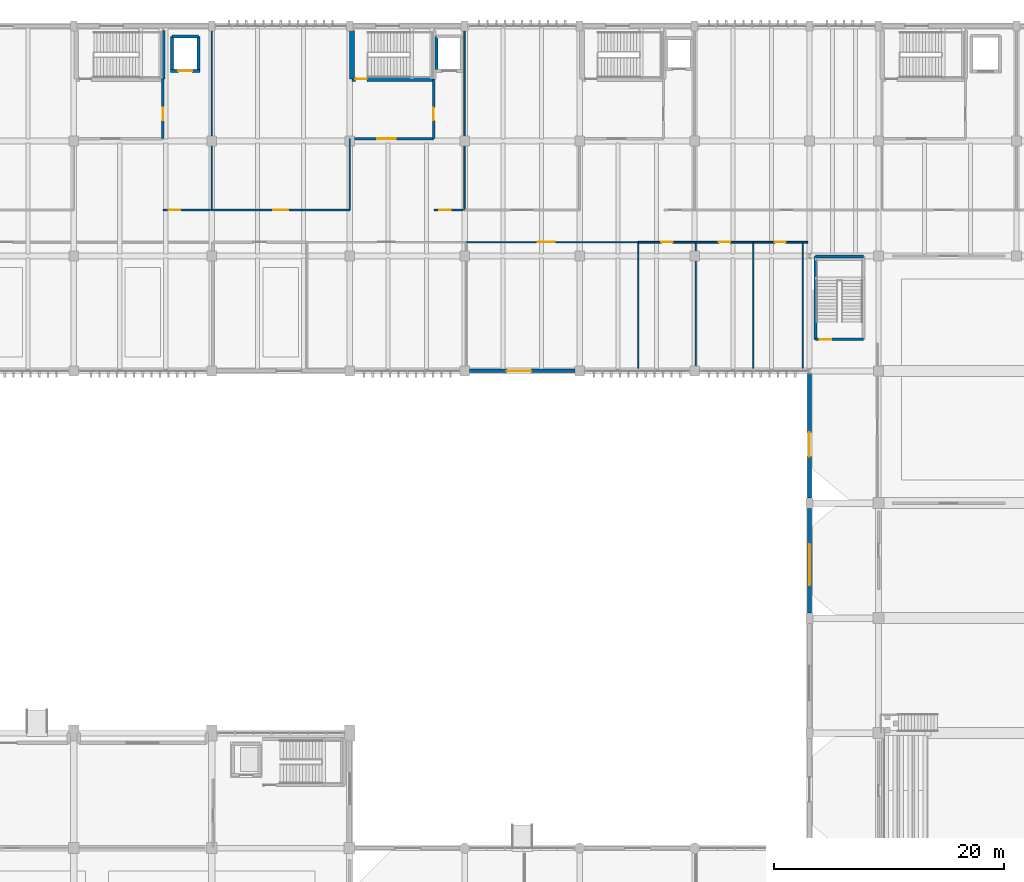
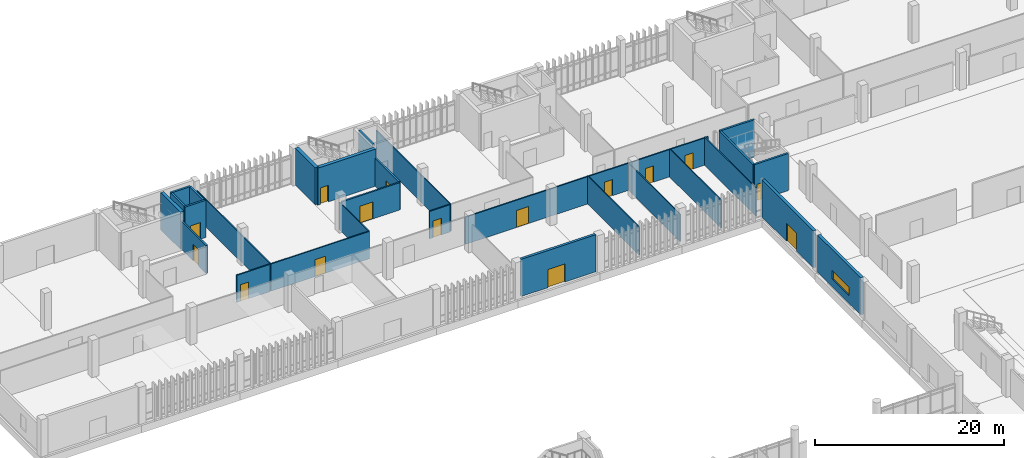
# One storey, part 74 of 87: 31 walls, 15 doors, 1 window, 16 openings.
"""IFC4 building model written with IfcOpenShell, lengths in metres."""

from ifc_helpers import new_model, si_unit, direction, frame, frame_2d, origin, place, context, subcontext, project, spatial, rectangle, extrude, material, layer, layer_set, type_object, element, fill, save


model = new_model("IFC4")

# Units and contexts
model_context = context("Model", 3, precision=1e-05, world=origin(), true_north=direction((0.0, 1.0)))
body_context = subcontext(model_context, "Body", "Model", "MODEL_VIEW")
ifc_project = project(units=[si_unit("LENGTHUNIT", "METRE"), si_unit("AREAUNIT", "SQUARE_METRE"), si_unit("VOLUMEUNIT", "CUBIC_METRE"), si_unit("PLANEANGLEUNIT", "RADIAN"), si_unit("MASSUNIT", "GRAM", prefix="KILO")], contexts=[model_context])

# Site, building, storey
site_placement = place(None, origin())
site = spatial("IfcSite", under=ifc_project, at=site_placement, CompositionType="ELEMENT")
building_placement = place(site_placement, origin())
building = spatial("IfcBuilding", under=site, at=building_placement, Name="Mersad Railyard Sports Hall", CompositionType="ELEMENT")
storey_placement = place(building_placement, origin())
storey = spatial("IfcBuildingStorey", under=building, at=storey_placement, Name="L00", CompositionType="ELEMENT", Elevation=0.0)

# Wall, opening, door
ifc_material_1 = material(Name="Architectural concrete C40/50", Category="concrete")
ifc_layer_1 = layer(ifc_material_1, 0.300048828125)
ifc_layer_set_1 = layer_set([ifc_layer_1], Name="Architectural concrete C40/50")
wall_type_1 = type_object("IfcWallType", Name="ARC-WL-EW01", PredefinedType="SOLIDWALL", material=ifc_layer_set_1)
wall_1_placement = place(storey_placement, frame((110.574951171875, 85.0, 0.0), z_axis=(0.0, 0.0, 1.0), x_axis=(-1.0, 0.0, 0.0)))
wall_1 = element("IfcWall", 1, at=wall_1_placement, inside=storey, type_object=wall_type_1, Name="External wall EW01-0105", PredefinedType="SOLIDWALL", context=body_context, shape_type="SweptSolid", body=[
    extrude(rectangle(XDim=9.14990234375, YDim=0.300048828125, at=frame_2d((4.574951171875, 0.0))), origin(), (0.0, 0.0, 1.0), 4.800048828125),
])
opening_1_placement = place(wall_1_placement, frame((3.800048828125, 0.0, 0.0)))
opening_1 = element("IfcOpeningElement", 2, at=opening_1_placement, cuts=wall_1, Name="Opening ED02", PredefinedType="OPENING", context=body_context, shape_type="SweptSolid", body=[
    extrude(rectangle(XDim=2.10009765625, YDim=2.35009765625, at=frame_2d((1.050048828125, 1.175048828125))), frame((0.0, 0.159912109375, 0.0), z_axis=(0.0, -1.0, 0.0), x_axis=(1.0, 0.0, 0.0)), (0.0, 0.0, 1.0), 0.320068359375),
])
ifc_material_2 = material(Name="Aluminium 6063-T6", Category="aluminium")
door_type_1 = type_object("IfcDoorType", Name="ARC-DR-ED02", OperationType="NOTDEFINED", PredefinedType="DOOR", material=ifc_material_2)
door_1_placement = place(opening_1_placement, origin())
door_1 = element("IfcDoor", 3, at=door_1_placement, inside=storey, type_object=door_type_1, Name="Wing courtyard exit door ED02-039", OperationType="DOUBLE_DOOR_SINGLE_SWING", OverallHeight=2.35009765625, OverallWidth=2.10009765625, PredefinedType="DOOR", context=body_context, shape_type="SweptSolid", body=[
    extrude(rectangle(XDim=2.10009765625, YDim=2.35009765625, at=frame_2d((1.050048828125, 1.175048828125))), frame((0.0, 0.02490234375, 0.0), z_axis=(0.0, -1.0, 0.0), x_axis=(1.0, 0.0, 0.0)), (0.0, 0.0, 1.0), 0.050048828125),
])
fill(opening_1, door_1)

# Wall, opening, window
ifc_material_3 = material(Name="Architectural concrete C50/60", Category="concrete")
ifc_layer_2 = layer(ifc_material_3, 0.35009765625)
ifc_layer_set_2 = layer_set([ifc_layer_2], Name="Architectural concrete C50/60")
wall_type_2 = type_object("IfcWallType", Name="ARC-WL-EW02", PredefinedType="SOLIDWALL", material=ifc_layer_set_2)
wall_2_placement = place(storey_placement, frame((131.0, 63.949951171875, 0.0), z_axis=(0.0, 0.0, 1.0), x_axis=(0.0, 1.0, 0.0)))
wall_2 = element("IfcWall", 4, at=wall_2_placement, inside=storey, type_object=wall_type_2, Name="External wall EW02-0095", PredefinedType="SOLIDWALL", context=body_context, shape_type="SweptSolid", body=[
    extrude(rectangle(XDim=9.10009765625, YDim=0.35009765625, at=frame_2d((4.550048828125, 0.0))), origin(), (0.0, 0.0, 1.0), 4.800048828125),
])
opening_2_placement = place(wall_2_placement, frame((2.39990234375, 0.0, 1.0)))
opening_2 = element("IfcOpeningElement", 5, at=opening_2_placement, cuts=wall_2, Name="Opening W25", PredefinedType="OPENING", context=body_context, shape_type="SweptSolid", body=[
    extrude(rectangle(XDim=3.60009765625, YDim=1.10009765625, at=frame_2d((1.800048828125, 0.550048828125))), frame((0.0, 0.18505859375, 0.0), z_axis=(0.0, -1.0, 0.0), x_axis=(1.0, 0.0, 0.0)), (0.0, 0.0, 1.0), 0.3701171875),
])
ifc_material_4 = material(Name="Solar-control glass", Category="glass")
window_type = type_object("IfcWindowType", Name="ARC-WN-W25", PartitioningType="DOUBLE_PANEL_VERTICAL", PredefinedType="WINDOW", material=ifc_material_4)
window_placement = place(opening_2_placement, origin())
window = element("IfcWindow", 6, at=window_placement, inside=storey, type_object=window_type, Name="Window W25-0022", OverallHeight=1.10009765625, OverallWidth=3.60009765625, PartitioningType="DOUBLE_PANEL_VERTICAL", PredefinedType="WINDOW", context=body_context, shape_type="SweptSolid", body=[
    extrude(rectangle(XDim=3.60009765625, YDim=1.10009765625, at=frame_2d((1.800048828125, 0.550048828125))), frame((0.0, 0.030029296875, 0.0), z_axis=(0.0, -1.0, 0.0), x_axis=(1.0, 0.0, 0.0)), (0.0, 0.0, 1.0), 0.06005859375),
])
fill(opening_2, window)

# Wall, opening, door
wall_3_placement = place(storey_placement, frame((131.0, 73.949951171875, 0.0), z_axis=(0.0, 0.0, 1.0), x_axis=(0.0, 1.0, 0.0)))
wall_3 = element("IfcWall", 7, at=wall_3_placement, inside=storey, type_object=wall_type_2, Name="External wall EW02-0096", PredefinedType="SOLIDWALL", context=body_context, shape_type="SweptSolid", body=[
    extrude(rectangle(XDim=10.8701171875, YDim=0.35009765625, at=frame_2d((5.43505859375, 0.0))), origin(), (0.0, 0.0, 1.0), 4.800048828125),
])
opening_3_placement = place(wall_3_placement, frame((3.60009765625, 0.0, 0.0)))
opening_3 = element("IfcOpeningElement", 8, at=opening_3_placement, cuts=wall_3, Name="Opening ED02", PredefinedType="OPENING", context=body_context, shape_type="SweptSolid", body=[
    extrude(rectangle(XDim=2.10009765625, YDim=2.35009765625, at=frame_2d((1.050048828125, 1.175048828125))), frame((0.0, 0.18505859375, 0.0), z_axis=(0.0, -1.0, 0.0), x_axis=(1.0, 0.0, 0.0)), (0.0, 0.0, 1.0), 0.3701171875),
])
door_2_placement = place(opening_3_placement, origin())
door_2 = element("IfcDoor", 9, at=door_2_placement, inside=storey, type_object=door_type_1, Name="Courtyard concourse exit door ED02-030", OperationType="DOUBLE_DOOR_SINGLE_SWING", OverallHeight=2.35009765625, OverallWidth=2.10009765625, PredefinedType="DOOR", context=body_context, shape_type="SweptSolid", body=[
    extrude(rectangle(XDim=2.10009765625, YDim=2.35009765625, at=frame_2d((1.050048828125, 1.175048828125))), frame((0.0, 0.02490234375, 0.0), z_axis=(0.0, -1.0, 0.0), x_axis=(1.0, 0.0, 0.0)), (0.0, 0.0, 1.0), 0.050048828125),
])
fill(opening_3, door_2)

ifc_material_5 = material(Name="Precast concrete C45/55", Category="concrete")
ifc_layer_3 = layer(ifc_material_5, 0.199951171875)
ifc_layer_set_3 = layer_set([ifc_layer_3], Name="Precast concrete C45/55")
wall_type_3 = type_object("IfcWallType", Name="ARC-WL-PT01", PredefinedType="PARTITIONING", material=ifc_layer_set_3)
wall_4_placement = place(storey_placement, frame((74.75, 105.199951171875, 0.0), z_axis=(0.0, 0.0, 1.0), x_axis=(0.0, 1.0, 0.0)))
wall_4 = element("IfcWall", 10, at=wall_4_placement, inside=storey, type_object=wall_type_3, Name="Interior wall PT01-0161", PredefinedType="PARTITIONING", context=body_context, shape_type="SweptSolid", body=[
    extrude(rectangle(XDim=5.179931640625, YDim=0.199951171875, at=frame_2d((2.58984375, 0.0))), origin(), (0.0, 0.0, 1.0), 3.625),
])
opening_4_placement = place(wall_4_placement, frame((1.60009765625, 0.0, 0.0)))
opening_4 = element("IfcOpeningElement", 11, at=opening_4_placement, cuts=wall_4, Name="Opening FD01", PredefinedType="OPENING", context=body_context, shape_type="SweptSolid", body=[
    extrude(rectangle(XDim=1.10009765625, YDim=2.14990234375, at=frame_2d((0.550048828125, 1.074951171875))), frame((0.0, 0.10986328125, 0.0), z_axis=(0.0, -1.0, 0.0), x_axis=(1.0, 0.0, 0.0)), (0.0, 0.0, 1.0), 0.219970703125),
])
ifc_material_6 = material(Name="Steel S355", Category="steel")
door_type_2 = type_object("IfcDoorType", Name="ARC-DR-FD01", OperationType="NOTDEFINED", PredefinedType="DOOR", material=ifc_material_6)
door_3_placement = place(opening_4_placement, origin())
door_3 = element("IfcDoor", 12, at=door_3_placement, inside=storey, type_object=door_type_2, Name="C1 lift-to-firefighting lobby door FD01-0047", OperationType="SINGLE_SWING_LEFT", OverallHeight=2.14990234375, OverallWidth=1.10009765625, PredefinedType="DOOR", context=body_context, shape_type="SweptSolid", body=[
    extrude(rectangle(XDim=1.10009765625, YDim=2.14990234375, at=frame_2d((0.550048828125, 1.074951171875))), frame((0.0, 0.02490234375, 0.0), z_axis=(0.0, -1.0, 0.0), x_axis=(1.0, 0.0, 0.0)), (0.0, 0.0, 1.0), 0.050048828125),
])
fill(opening_4, door_3)

wall_5_placement = place(storey_placement, frame((91.199951171875, 105.199951171875, 0.0), z_axis=(0.0, 0.0, 1.0), x_axis=(1.0, 0.0, 0.0)))
wall_5 = element("IfcWall", 13, at=wall_5_placement, inside=storey, type_object=wall_type_3, Name="Interior wall PT01-0202", PredefinedType="PARTITIONING", context=body_context, shape_type="SweptSolid", body=[
    extrude(rectangle(XDim=7.10009765625, YDim=0.199951171875, at=frame_2d((3.550048828125, 0.0))), origin(), (0.0, 0.0, 1.0), 3.52490234375),
])
opening_5_placement = place(wall_5_placement, frame((2.199951171875, 0.0, 0.0)))
opening_5 = element("IfcOpeningElement", 14, at=opening_5_placement, cuts=wall_5, Name="Opening FD04", PredefinedType="OPENING", context=body_context, shape_type="SweptSolid", body=[
    extrude(rectangle(XDim=1.60009765625, YDim=2.199951171875, at=frame_2d((0.800048828125, 1.10009765625))), frame((0.0, 0.10986328125, 0.0), z_axis=(0.0, -1.0, 0.0), x_axis=(1.0, 0.0, 0.0)), (0.0, 0.0, 1.0), 0.219970703125),
])
door_type_3 = type_object("IfcDoorType", Name="ARC-DR-FD04", OperationType="NOTDEFINED", PredefinedType="DOOR", material=ifc_material_6)
door_4_placement = place(opening_5_placement, origin())
door_4 = element("IfcDoor", 15, at=door_4_placement, inside=storey, type_object=door_type_3, Name="C2 firefighting lobby door FD04-0074", OperationType="DOUBLE_DOOR_SINGLE_SWING", OverallHeight=2.199951171875, OverallWidth=1.60009765625, PredefinedType="DOOR", context=body_context, shape_type="SweptSolid", body=[
    extrude(rectangle(XDim=1.60009765625, YDim=2.199951171875, at=frame_2d((0.800048828125, 1.10009765625))), frame((0.0, 0.02490234375, 0.0), z_axis=(0.0, -1.0, 0.0), x_axis=(1.0, 0.0, 0.0)), (0.0, 0.0, 1.0), 0.050048828125),
])
fill(opening_5, door_4)

wall_6_placement = place(storey_placement, frame((98.300048828125, 105.199951171875, 0.0), z_axis=(0.0, 0.0, 1.0), x_axis=(0.0, 1.0, 0.0)))
wall_6 = element("IfcWall", 16, at=wall_6_placement, inside=storey, type_object=wall_type_3, Name="Interior wall PT01-0203", PredefinedType="PARTITIONING", context=body_context, shape_type="SweptSolid", body=[
    extrude(rectangle(XDim=5.179931640625, YDim=0.199951171875, at=frame_2d((2.58984375, 0.0))), origin(), (0.0, 0.0, 1.0), 3.625),
])
opening_6_placement = place(wall_6_placement, frame((1.60009765625, 0.0, 0.0)))
opening_6 = element("IfcOpeningElement", 17, at=opening_6_placement, cuts=wall_6, Name="Opening FD01", PredefinedType="OPENING", context=body_context, shape_type="SweptSolid", body=[
    extrude(rectangle(XDim=1.10009765625, YDim=2.14990234375, at=frame_2d((0.550048828125, 1.074951171875))), frame((0.0, 0.10986328125, 0.0), z_axis=(0.0, -1.0, 0.0), x_axis=(1.0, 0.0, 0.0)), (0.0, 0.0, 1.0), 0.219970703125),
])
door_5_placement = place(opening_6_placement, origin())
door_5 = element("IfcDoor", 18, at=door_5_placement, inside=storey, type_object=door_type_2, Name="C2 lift-to-firefighting lobby door FD01-0075", OperationType="SINGLE_SWING_RIGHT", OverallHeight=2.14990234375, OverallWidth=1.10009765625, PredefinedType="DOOR", context=body_context, shape_type="SweptSolid", body=[
    extrude(rectangle(XDim=1.10009765625, YDim=2.14990234375, at=frame_2d((0.550048828125, 1.074951171875))), frame((0.0, 0.02490234375, 0.0), z_axis=(0.0, -1.0, 0.0), x_axis=(1.0, 0.0, 0.0)), (0.0, 0.0, 1.0), 0.050048828125),
])
fill(opening_6, door_5)

ifc_material_7 = material(Name="Gypsum plasterboard", Category="gypsum")
ifc_layer_4 = layer(ifc_material_7, 0.159912109375)
ifc_layer_set_4 = layer_set([ifc_layer_4], Name="Gypsum plasterboard")
wall_type_4 = type_object("IfcWallType", Name="ARC-WL-PT02", PredefinedType="PARTITIONING", material=ifc_layer_set_4)
wall_7_placement = place(storey_placement, frame((74.800048828125, 99.0, 0.0), z_axis=(0.0, 0.0, 1.0), x_axis=(1.0, 0.0, 0.0)))
wall_7 = element("IfcWall", 19, at=wall_7_placement, inside=storey, type_object=wall_type_4, Name="Interior wall PT02-0162", PredefinedType="PARTITIONING", context=body_context, shape_type="SweptSolid", body=[
    extrude(rectangle(XDim=4.050048828125, YDim=0.159912109375, at=frame_2d((2.02490234375, 0.0))), origin(), (0.0, 0.0, 1.0), 3.52490234375),
])
opening_7_placement = place(wall_7_placement, frame((0.449951171875, 0.0, 0.0)))
opening_7 = element("IfcOpeningElement", 20, at=opening_7_placement, cuts=wall_7, Name="Opening FD02", PredefinedType="OPENING", context=body_context, shape_type="SweptSolid", body=[
    extrude(rectangle(XDim=1.0, YDim=2.14990234375, at=frame_2d((0.5, 1.074951171875))), frame((0.0, 0.08984375, 0.0), z_axis=(0.0, -1.0, 0.0), x_axis=(1.0, 0.0, 0.0)), (0.0, 0.0, 1.0), 0.179931640625),
])
door_type_4 = type_object("IfcDoorType", Name="ARC-DR-FD02", OperationType="NOTDEFINED", PredefinedType="DOOR", material=ifc_material_6)
door_6_placement = place(opening_7_placement, origin())
door_6 = element("IfcDoor", 21, at=door_6_placement, inside=storey, type_object=door_type_4, Name="C1 lift lobby corridor door FD02-0048", OperationType="SINGLE_SWING_RIGHT", OverallHeight=2.14990234375, OverallWidth=1.0, PredefinedType="DOOR", context=body_context, shape_type="SweptSolid", body=[
    extrude(rectangle(XDim=1.0, YDim=2.14990234375, at=frame_2d((0.5, 1.074951171875))), frame((0.0, 0.02490234375, 0.0), z_axis=(0.0, -1.0, 0.0), x_axis=(1.0, 0.0, 0.0)), (0.0, 0.0, 1.0), 0.050048828125),
])
fill(opening_7, door_6)

wall_8_placement = place(storey_placement, frame((98.35009765625, 99.0, 0.0), z_axis=(0.0, 0.0, 1.0), x_axis=(1.0, 0.0, 0.0)))
wall_8 = element("IfcWall", 22, at=wall_8_placement, inside=storey, type_object=wall_type_4, Name="Interior wall PT02-0204", PredefinedType="PARTITIONING", context=body_context, shape_type="SweptSolid", body=[
    extrude(rectangle(XDim=2.5, YDim=0.159912109375, at=frame_2d((1.25, 0.0))), origin(), (0.0, 0.0, 1.0), 3.52490234375),
])
opening_8_placement = place(wall_8_placement, frame((0.449951171875, 0.0, 0.0)))
opening_8 = element("IfcOpeningElement", 23, at=opening_8_placement, cuts=wall_8, Name="Opening FD02", PredefinedType="OPENING", context=body_context, shape_type="SweptSolid", body=[
    extrude(rectangle(XDim=1.0, YDim=2.14990234375, at=frame_2d((0.5, 1.074951171875))), frame((0.0, 0.08984375, 0.0), z_axis=(0.0, -1.0, 0.0), x_axis=(1.0, 0.0, 0.0)), (0.0, 0.0, 1.0), 0.179931640625),
])
door_7_placement = place(opening_8_placement, origin())
door_7 = element("IfcDoor", 24, at=door_7_placement, inside=storey, type_object=door_type_4, Name="C2 lift lobby corridor door FD02-0076", OperationType="SINGLE_SWING_LEFT", OverallHeight=2.14990234375, OverallWidth=1.0, PredefinedType="DOOR", context=body_context, shape_type="SweptSolid", body=[
    extrude(rectangle(XDim=1.0, YDim=2.14990234375, at=frame_2d((0.5, 1.074951171875))), frame((0.0, 0.02490234375, 0.0), z_axis=(0.0, -1.0, 0.0), x_axis=(1.0, 0.0, 0.0)), (0.0, 0.0, 1.0), 0.050048828125),
])
fill(opening_8, door_7)

wall_9_placement = place(storey_placement, frame((101.10009765625, 96.199951171875, 0.0), z_axis=(0.0, 0.0, 1.0), x_axis=(1.0, 0.0, 0.0)))
wall_9 = element("IfcWall", 25, at=wall_9_placement, inside=storey, type_object=wall_type_4, Name="Interior wall PT02-0409", PredefinedType="PARTITIONING", context=body_context, shape_type="SweptSolid", body=[
    extrude(rectangle(XDim=15.0, YDim=0.159912109375, at=frame_2d((7.5, 0.0))), origin(), (0.0, 0.0, 1.0), 3.52490234375),
])
opening_9_placement = place(wall_9_placement, frame((6.25, 0.0, 0.0)))
opening_9 = element("IfcOpeningElement", 26, at=opening_9_placement, cuts=wall_9, Name="Opening FD10", PredefinedType="OPENING", context=body_context, shape_type="SweptSolid", body=[
    extrude(rectangle(XDim=1.5, YDim=2.199951171875, at=frame_2d((0.75, 1.10009765625))), frame((0.0, 0.08984375, 0.0), z_axis=(0.0, -1.0, 0.0), x_axis=(1.0, 0.0, 0.0)), (0.0, 0.0, 1.0), 0.179931640625),
])
door_type_5 = type_object("IfcDoorType", Name="ARC-DR-FD10", OperationType="NOTDEFINED", PredefinedType="DOOR", material=ifc_material_6)
door_8_placement = place(opening_9_placement, origin())
door_8 = element("IfcDoor", 27, at=door_8_placement, inside=storey, type_object=door_type_5, Name="L00 south room door FD10-0184", OperationType="DOUBLE_DOOR_SINGLE_SWING", OverallHeight=2.199951171875, OverallWidth=1.5, PredefinedType="DOOR", context=body_context, shape_type="SweptSolid", body=[
    extrude(rectangle(XDim=1.5, YDim=2.199951171875, at=frame_2d((0.75, 1.10009765625))), frame((0.0, 0.02490234375, 0.0), z_axis=(0.0, -1.0, 0.0), x_axis=(1.0, 0.0, 0.0)), (0.0, 0.0, 1.0), 0.050048828125),
])
fill(opening_9, door_8)

wall_10_placement = place(storey_placement, frame((116.10009765625, 96.199951171875, 0.0), z_axis=(0.0, 0.0, 1.0), x_axis=(1.0, 0.0, 0.0)))
wall_10 = element("IfcWall", 28, at=wall_10_placement, inside=storey, type_object=wall_type_4, Name="Interior wall PT02-0411", PredefinedType="PARTITIONING", context=body_context, shape_type="SweptSolid", body=[
    extrude(rectangle(XDim=5.0, YDim=0.159912109375, at=frame_2d((2.5, 0.0))), origin(), (0.0, 0.0, 1.0), 3.52490234375),
])
opening_10_placement = place(wall_10_placement, frame((2.0, 0.0, 0.0)))
opening_10 = element("IfcOpeningElement", 29, at=opening_10_placement, cuts=wall_10, Name="Opening FD06", PredefinedType="OPENING", context=body_context, shape_type="SweptSolid", body=[
    extrude(rectangle(XDim=0.97998046875, YDim=2.10009765625, at=frame_2d((0.489990234375, 1.050048828125))), frame((0.0, 0.08984375, 0.0), z_axis=(0.0, -1.0, 0.0), x_axis=(1.0, 0.0, 0.0)), (0.0, 0.0, 1.0), 0.179931640625),
])
door_type_6 = type_object("IfcDoorType", Name="ARC-DR-FD06", OperationType="NOTDEFINED", PredefinedType="DOOR", material=ifc_material_6)
door_9_placement = place(opening_10_placement, origin())
door_9 = element("IfcDoor", 30, at=door_9_placement, inside=storey, type_object=door_type_6, Name="L00 south room door FD06-0185", OperationType="SINGLE_SWING_LEFT", OverallHeight=2.10009765625, OverallWidth=0.97998046875, PredefinedType="DOOR", context=body_context, shape_type="SweptSolid", body=[
    extrude(rectangle(XDim=0.97998046875, YDim=2.10009765625, at=frame_2d((0.489990234375, 1.050048828125))), frame((0.0, 0.02490234375, 0.0), z_axis=(0.0, -1.0, 0.0), x_axis=(1.0, 0.0, 0.0)), (0.0, 0.0, 1.0), 0.050048828125),
])
fill(opening_10, door_9)

wall_11_placement = place(storey_placement, frame((121.10009765625, 96.199951171875, 0.0), z_axis=(0.0, 0.0, 1.0), x_axis=(1.0, 0.0, 0.0)))
wall_11 = element("IfcWall", 31, at=wall_11_placement, inside=storey, type_object=wall_type_4, Name="Interior wall PT02-0413", PredefinedType="PARTITIONING", context=body_context, shape_type="SweptSolid", body=[
    extrude(rectangle(XDim=5.0, YDim=0.159912109375, at=frame_2d((2.5, 0.0))), origin(), (0.0, 0.0, 1.0), 3.52490234375),
])
opening_11_placement = place(wall_11_placement, frame((2.0, 0.0, 0.0)))
opening_11 = element("IfcOpeningElement", 32, at=opening_11_placement, cuts=wall_11, Name="Opening FD06", PredefinedType="OPENING", context=body_context, shape_type="SweptSolid", body=[
    extrude(rectangle(XDim=0.97998046875, YDim=2.10009765625, at=frame_2d((0.489990234375, 1.050048828125))), frame((0.0, 0.08984375, 0.0), z_axis=(0.0, -1.0, 0.0), x_axis=(1.0, 0.0, 0.0)), (0.0, 0.0, 1.0), 0.179931640625),
])
door_10_placement = place(opening_11_placement, origin())
door_10 = element("IfcDoor", 33, at=door_10_placement, inside=storey, type_object=door_type_6, Name="L00 south room door FD06-0186", OperationType="SINGLE_SWING_RIGHT", OverallHeight=2.10009765625, OverallWidth=0.97998046875, PredefinedType="DOOR", context=body_context, shape_type="SweptSolid", body=[
    extrude(rectangle(XDim=0.97998046875, YDim=2.10009765625, at=frame_2d((0.489990234375, 1.050048828125))), frame((0.0, 0.02490234375, 0.0), z_axis=(0.0, -1.0, 0.0), x_axis=(1.0, 0.0, 0.0)), (0.0, 0.0, 1.0), 0.050048828125),
])
fill(opening_11, door_10)

wall_12_placement = place(storey_placement, frame((126.10009765625, 96.199951171875, 0.0), z_axis=(0.0, 0.0, 1.0), x_axis=(1.0, 0.0, 0.0)))
wall_12 = element("IfcWall", 34, at=wall_12_placement, inside=storey, type_object=wall_type_4, Name="Interior wall PT02-0415", PredefinedType="PARTITIONING", context=body_context, shape_type="SweptSolid", body=[
    extrude(rectangle(XDim=4.719970703125, YDim=0.159912109375, at=frame_2d((2.35986328125, 0.0))), origin(), (0.0, 0.0, 1.0), 3.52490234375),
])
opening_12_placement = place(wall_12_placement, frame((1.860107421875, 0.0, 0.0)))
opening_12 = element("IfcOpeningElement", 35, at=opening_12_placement, cuts=wall_12, Name="Opening FD06", PredefinedType="OPENING", context=body_context, shape_type="SweptSolid", body=[
    extrude(rectangle(XDim=0.97998046875, YDim=2.10009765625, at=frame_2d((0.489990234375, 1.050048828125))), frame((0.0, 0.08984375, 0.0), z_axis=(0.0, -1.0, 0.0), x_axis=(1.0, 0.0, 0.0)), (0.0, 0.0, 1.0), 0.179931640625),
])
door_11_placement = place(opening_12_placement, origin())
door_11 = element("IfcDoor", 36, at=door_11_placement, inside=storey, type_object=door_type_6, Name="L00 south room door FD06-0187", OperationType="SINGLE_SWING_LEFT", OverallHeight=2.10009765625, OverallWidth=0.97998046875, PredefinedType="DOOR", context=body_context, shape_type="SweptSolid", body=[
    extrude(rectangle(XDim=0.97998046875, YDim=2.10009765625, at=frame_2d((0.489990234375, 1.050048828125))), frame((0.0, 0.02490234375, 0.0), z_axis=(0.0, -1.0, 0.0), x_axis=(1.0, 0.0, 0.0)), (0.0, 0.0, 1.0), 0.050048828125),
])
fill(opening_12, door_11)

ifc_layer_5 = layer(ifc_material_7, 0.139892578125)
ifc_layer_set_5 = layer_set([ifc_layer_5], Name="Gypsum plasterboard")
wall_type_5 = type_object("IfcWallType", Name="ARC-WL-PT03", PredefinedType="PARTITIONING", material=ifc_layer_set_5)
wall_13_placement = place(storey_placement, frame((79.0, 99.0, 0.0), z_axis=(0.0, 0.0, 1.0), x_axis=(1.0, 0.0, 0.0)))
wall_13 = element("IfcWall", 37, at=wall_13_placement, inside=storey, type_object=wall_type_5, Name="Interior wall PT03-0420", PredefinedType="PARTITIONING", context=body_context, shape_type="SweptSolid", body=[
    extrude(rectangle(XDim=12.0, YDim=0.139892578125, at=frame_2d((6.0, 0.0))), origin(), (0.0, 0.0, 1.0), 3.52490234375),
])
opening_13_placement = place(wall_13_placement, frame((5.35009765625, 0.0, 0.0)))
opening_13 = element("IfcOpeningElement", 38, at=opening_13_placement, cuts=wall_13, Name="Opening FD03", PredefinedType="OPENING", context=body_context, shape_type="SweptSolid", body=[
    extrude(rectangle(XDim=1.300048828125, YDim=2.199951171875, at=frame_2d((0.64990234375, 1.10009765625))), frame((0.0, 0.079833984375, 0.0), z_axis=(0.0, -1.0, 0.0), x_axis=(1.0, 0.0, 0.0)), (0.0, 0.0, 1.0), 0.159912109375),
])
door_type_7 = type_object("IfcDoorType", Name="ARC-DR-FD03", OperationType="NOTDEFINED", PredefinedType="DOOR", material=ifc_material_6)
door_12_placement = place(opening_13_placement, origin())
door_12 = element("IfcDoor", 39, at=door_12_placement, inside=storey, type_object=door_type_7, Name="L00 north room door FD03-0189", OperationType="SINGLE_SWING_RIGHT", OverallHeight=2.199951171875, OverallWidth=1.300048828125, PredefinedType="DOOR", context=body_context, shape_type="SweptSolid", body=[
    extrude(rectangle(XDim=1.300048828125, YDim=2.199951171875, at=frame_2d((0.64990234375, 1.10009765625))), frame((0.0, 0.02490234375, 0.0), z_axis=(0.0, -1.0, 0.0), x_axis=(1.0, 0.0, 0.0)), (0.0, 0.0, 1.0), 0.050048828125),
])
fill(opening_13, door_12)

# Walls
ifc_layer_6 = layer(ifc_material_7, 0.1201171875)
ifc_layer_set_6 = layer_set([ifc_layer_6], Name="Gypsum plasterboard")
wall_type_6 = type_object("IfcWallType", Name="ARC-WL-PT04", PredefinedType="PARTITIONING", material=ifc_layer_set_6)
for number, where, z_axis, x_axis, name in (
    (40, (116.10009765625, 85.219970703125, 0.0), (0.0, 0.0, 1.0), (0.0, 1.0, 0.0), "Interior wall PT04-0412"),
    (41, (126.10009765625, 85.219970703125, 0.0), (0.0, 0.0, 1.0), (0.0, 1.0, 0.0), "Interior wall PT04-0416"),
    (42, (130.39990234375, 85.219970703125, 0.0), (0.0, 0.0, 1.0), (0.0, 1.0, 0.0), "Interior wall PT04-0417"),
):
    element("IfcWall", number, at=place(storey_placement, frame(where, z_axis=z_axis, x_axis=x_axis)), inside=storey, type_object=wall_type_6, Name=name, PredefinedType="PARTITIONING", context=body_context, shape_type="SweptSolid", body=[
        extrude(rectangle(XDim=10.97998046875, YDim=0.1201171875, at=frame_2d((5.489990234375, 0.0))), origin(), (0.0, 0.0, 1.0), 3.625),
    ])
wall_14_placement = place(storey_placement, frame((79.0, 99.0, 0.0), z_axis=(0.0, 0.0, 1.0), x_axis=(0.0, 1.0, 0.0)))
element("IfcWall", 43, at=wall_14_placement, inside=storey, type_object=wall_type_6, Name="Interior wall PT04-0421", PredefinedType="PARTITIONING", context=body_context, shape_type="SweptSolid", body=[
    extrude(rectangle(XDim=15.75, YDim=0.1201171875, at=frame_2d((7.875, 0.0))), origin(), (0.0, 0.0, 1.0), 3.52490234375),
])
wall_15_placement = place(storey_placement, frame((91.0, 99.0, 0.0), z_axis=(0.0, 0.0, 1.0), x_axis=(0.0, 1.0, 0.0)))
element("IfcWall", 44, at=wall_15_placement, inside=storey, type_object=wall_type_6, Name="Interior wall PT04-0422", PredefinedType="PARTITIONING", context=body_context, shape_type="SweptSolid", body=[
    extrude(rectangle(XDim=6.199951171875, YDim=0.1201171875, at=frame_2d((3.10009765625, 0.0))), origin(), (0.0, 0.0, 1.0), 3.52490234375),
])
wall_16_placement = place(storey_placement, frame((101.0, 99.0, 0.0), z_axis=(0.0, 0.0, 1.0), x_axis=(0.0, 1.0, 0.0)))
element("IfcWall", 45, at=wall_16_placement, inside=storey, type_object=wall_type_6, Name="Interior wall PT04-0424", PredefinedType="PARTITIONING", context=body_context, shape_type="SweptSolid", body=[
    extrude(rectangle(XDim=15.75, YDim=0.1201171875, at=frame_2d((7.875, 0.0))), origin(), (0.0, 0.0, 1.0), 3.52490234375),
])
ifc_layer_7 = layer(ifc_material_7, 0.10009765625)
ifc_layer_set_7 = layer_set([ifc_layer_7], Name="Gypsum plasterboard")
wall_type_7 = type_object("IfcWallType", Name="ARC-WL-PT05", PredefinedType="PARTITIONING", material=ifc_layer_set_7)
wall_17_placement = place(storey_placement, frame((121.10009765625, 85.219970703125, 0.0), z_axis=(0.0, 0.0, 1.0), x_axis=(0.0, 1.0, 0.0)))
element("IfcWall", 46, at=wall_17_placement, inside=storey, type_object=wall_type_7, Name="Interior wall PT05-0414", PredefinedType="PARTITIONING", context=body_context, shape_type="SweptSolid", body=[
    extrude(rectangle(XDim=10.97998046875, YDim=0.10009765625, at=frame_2d((5.489990234375, 0.0))), origin(), (0.0, 0.0, 1.0), 3.52490234375),
])
ifc_material_8 = material(Name="Concrete C50/60", Category="concrete")
ifc_layer_8 = layer(ifc_material_8, 0.39990234375)
ifc_layer_set_8 = layer_set([ifc_layer_8], Name="Concrete C50/60")
wall_type_8 = type_object("IfcWallType", Name="STR-WL-SW01", PredefinedType="SHEAR", material=ifc_layer_set_8)
wall_18_placement = place(storey_placement, frame((74.75, 110.3798828125, 0.0), z_axis=(0.0, 0.0, 1.0), x_axis=(0.0, 1.0, 0.0)))
element("IfcWall", 47, at=wall_18_placement, inside=storey, type_object=wall_type_8, Name="Interior wall SW01-0158", PredefinedType="SHEAR", context=body_context, shape_type="SweptSolid", body=[
    extrude(rectangle(XDim=4.240234375, YDim=0.39990234375, at=frame_2d((2.1201171875, 0.0))), origin(), (0.0, 0.0, 1.0), 4.800048828125),
])

# Wall, opening, door
wall_19_placement = place(storey_placement, frame((91.199951171875, 110.3798828125, 0.0), z_axis=(0.0, 0.0, 1.0), x_axis=(1.0, 0.0, 0.0)))
wall_19 = element("IfcWall", 48, at=wall_19_placement, inside=storey, type_object=wall_type_8, Name="Interior wall SW01-0199", PredefinedType="SHEAR", context=body_context, shape_type="SweptSolid", body=[
    extrude(rectangle(XDim=7.10009765625, YDim=0.39990234375, at=frame_2d((3.550048828125, 0.0))), origin(), (0.0, 0.0, 1.0), 4.800048828125),
])
opening_14_placement = place(wall_19_placement, frame((0.300048828125, 0.0, 0.0)))
opening_14 = element("IfcOpeningElement", 49, at=opening_14_placement, cuts=wall_19, Name="Opening FD02", PredefinedType="OPENING", context=body_context, shape_type="SweptSolid", body=[
    extrude(rectangle(XDim=1.0, YDim=2.14990234375, at=frame_2d((0.5, 1.074951171875))), frame((0.0, 0.2099609375, 0.0), z_axis=(0.0, -1.0, 0.0), x_axis=(1.0, 0.0, 0.0)), (0.0, 0.0, 1.0), 0.419921875),
])
door_13_placement = place(opening_14_placement, origin())
door_13 = element("IfcDoor", 50, at=door_13_placement, inside=storey, type_object=door_type_4, Name="C2 stair entrance door FD02-0073", OperationType="SINGLE_SWING_LEFT", OverallHeight=2.14990234375, OverallWidth=1.0, PredefinedType="DOOR", context=body_context, shape_type="SweptSolid", body=[
    extrude(rectangle(XDim=1.0, YDim=2.14990234375, at=frame_2d((0.5, 1.074951171875))), frame((0.0, 0.02490234375, 0.0), z_axis=(0.0, -1.0, 0.0), x_axis=(1.0, 0.0, 0.0)), (0.0, 0.0, 1.0), 0.050048828125),
])
fill(opening_14, door_13)

# Walls
wall_20_placement = place(storey_placement, frame((91.199951171875, 114.6201171875, 0.0), z_axis=(0.0, 0.0, 1.0), x_axis=(0.0, -1.0, 0.0)))
element("IfcWall", 51, at=wall_20_placement, inside=storey, type_object=wall_type_8, Name="Interior wall SW01-0201", PredefinedType="SHEAR", context=body_context, shape_type="SweptSolid", body=[
    extrude(rectangle(XDim=4.240234375, YDim=0.39990234375, at=frame_2d((2.1201171875, 0.0))), origin(), (0.0, 0.0, 1.0), 4.800048828125),
])
ifc_material_9 = material(Name="Concrete C40/50", Category="concrete")
ifc_layer_9 = layer(ifc_material_9, 0.239990234375)
ifc_layer_set_9 = layer_set([ifc_layer_9], Name="Concrete C40/50")
wall_type_9 = type_object("IfcWallType", Name="STR-WL-SW03", PredefinedType="SHEAR", material=ifc_layer_set_9)
for number, where, z_axis, x_axis, name in (
    (52, (75.550048828125, 111.10009765625, 0.0), (0.0, 0.0, 1.0), (0.0, 1.0, 0.0), "Interior wall SW03-0004"),
    (53, (77.85009765625, 114.10009765625, 0.0), (0.0, 0.0, 1.0), (0.0, -1.0, 0.0), "Interior wall SW03-0005"),
):
    element("IfcWall", number, at=place(storey_placement, frame(where, z_axis=z_axis, x_axis=x_axis)), inside=storey, type_object=wall_type_9, Name=name, PredefinedType="SHEAR", context=body_context, shape_type="SweptSolid", body=[
        extrude(rectangle(XDim=3.0, YDim=0.239990234375, at=frame_2d((1.5, 0.0))), origin(), (0.0, 0.0, 1.0), 4.800048828125),
    ])
wall_21_placement = place(storey_placement, frame((75.550048828125, 114.10009765625, 0.0), z_axis=(0.0, 0.0, 1.0), x_axis=(1.0, 0.0, 0.0)))
element("IfcWall", 54, at=wall_21_placement, inside=storey, type_object=wall_type_9, Name="Interior wall SW03-0006", PredefinedType="SHEAR", context=body_context, shape_type="SweptSolid", body=[
    extrude(rectangle(XDim=2.300048828125, YDim=0.239990234375, at=frame_2d((1.14990234375, 0.0))), origin(), (0.0, 0.0, 1.0), 4.800048828125),
])

# Wall, opening, door
wall_22_placement = place(storey_placement, frame((77.969970703125, 111.10009765625, 0.0), z_axis=(0.0, 0.0, 1.0), x_axis=(-1.0, 0.0, 0.0)))
wall_22 = element("IfcWall", 55, at=wall_22_placement, inside=storey, type_object=wall_type_9, Name="Interior wall SW03-0007", PredefinedType="SHEAR", context=body_context, shape_type="SweptSolid", body=[
    extrude(rectangle(XDim=2.5400390625, YDim=0.239990234375, at=frame_2d((1.27001953125, 0.0))), origin(), (0.0, 0.0, 1.0), 4.800048828125),
])
opening_15_placement = place(wall_22_placement, frame((0.669921875, 0.0, 0.0)))
opening_15 = element("IfcOpeningElement", 56, at=opening_15_placement, cuts=wall_22, Name="Opening LD02", PredefinedType="OPENING", context=body_context, shape_type="SweptSolid", body=[
    extrude(rectangle(XDim=1.199951171875, YDim=2.14990234375, at=frame_2d((0.60009765625, 1.074951171875))), frame((0.0, 0.1298828125, 0.0), z_axis=(0.0, -1.0, 0.0), x_axis=(1.0, 0.0, 0.0)), (0.0, 0.0, 1.0), 0.260009765625),
])
door_type_8 = type_object("IfcDoorType", Name="ARC-DR-LD02", OperationType="NOTDEFINED", PredefinedType="USERDEFINED", material=ifc_material_6)
door_14_placement = place(opening_15_placement, origin())
door_14 = element("IfcDoor", 57, at=door_14_placement, inside=storey, type_object=door_type_8, Name="Lift FFL-01 landing door LD02-0002", ObjectType="LANDING DOOR", OperationType="DOUBLE_DOOR_SLIDING", OverallHeight=2.14990234375, OverallWidth=1.199951171875, PredefinedType="USERDEFINED", context=body_context, shape_type="SweptSolid", body=[
    extrude(rectangle(XDim=1.199951171875, YDim=2.14990234375, at=frame_2d((0.60009765625, 1.074951171875))), frame((0.0, 0.02490234375, 0.0), z_axis=(0.0, -1.0, 0.0), x_axis=(1.0, 0.0, 0.0)), (0.0, 0.0, 1.0), 0.050048828125),
])
fill(opening_15, door_14)

# Walls
wall_23_placement = place(storey_placement, frame((98.550048828125, 111.10009765625, 0.0), z_axis=(0.0, 0.0, 1.0), x_axis=(0.0, 1.0, 0.0)))
element("IfcWall", 58, at=wall_23_placement, inside=storey, type_object=wall_type_9, Name="Interior wall SW03-0031", PredefinedType="SHEAR", context=body_context, shape_type="SweptSolid", body=[
    extrude(rectangle(XDim=3.0, YDim=0.239990234375, at=frame_2d((1.5, 0.0))), origin(), (0.0, 0.0, 1.0), 4.800048828125),
])
wall_24_placement = place(storey_placement, frame((131.52001953125, 87.75, 0.0), z_axis=(0.0, 0.0, 1.0), x_axis=(0.0, 1.0, 0.0)))
element("IfcWall", 59, at=wall_24_placement, inside=storey, type_object=wall_type_9, Name="Interior wall SW03-0364", PredefinedType="SHEAR", context=body_context, shape_type="SweptSolid", body=[
    extrude(rectangle(XDim=7.199951171875, YDim=0.239990234375, at=frame_2d((3.60009765625, 0.0))), origin(), (0.0, 0.0, 1.0), 4.800048828125),
])
wall_25_placement = place(storey_placement, frame((131.52001953125, 94.949951171875, 0.0), z_axis=(0.0, 0.0, 1.0), x_axis=(1.0, 0.0, 0.0)))
element("IfcWall", 60, at=wall_25_placement, inside=storey, type_object=wall_type_9, Name="Interior wall SW03-0366", PredefinedType="SHEAR", context=body_context, shape_type="SweptSolid", body=[
    extrude(rectangle(XDim=4.159912109375, YDim=0.239990234375, at=frame_2d((2.080078125, 0.0))), origin(), (0.0, 0.0, 1.0), 4.800048828125),
])

# Wall, opening, door
wall_26_placement = place(storey_placement, frame((131.52001953125, 87.75, 0.0), z_axis=(0.0, 0.0, 1.0), x_axis=(1.0, 0.0, 0.0)))
wall_26 = element("IfcWall", 61, at=wall_26_placement, inside=storey, type_object=wall_type_9, Name="Interior wall SW03-0367", PredefinedType="SHEAR", context=body_context, shape_type="SweptSolid", body=[
    extrude(rectangle(XDim=4.159912109375, YDim=0.239990234375, at=frame_2d((2.080078125, 0.0))), origin(), (0.0, 0.0, 1.0), 4.800048828125),
])
opening_16_placement = place(wall_26_placement, frame((0.35009765625, 0.0, 0.0)))
opening_16 = element("IfcOpeningElement", 62, at=opening_16_placement, cuts=wall_26, Name="Opening FD02", PredefinedType="OPENING", context=body_context, shape_type="SweptSolid", body=[
    extrude(rectangle(XDim=1.0, YDim=2.14990234375, at=frame_2d((0.5, 1.074951171875))), frame((0.0, 0.1298828125, 0.0), z_axis=(0.0, -1.0, 0.0), x_axis=(1.0, 0.0, 0.0)), (0.0, 0.0, 1.0), 0.260009765625),
])
door_15_placement = place(opening_16_placement, origin())
door_15 = element("IfcDoor", 63, at=door_15_placement, inside=storey, type_object=door_type_4, Name="ST11 stair door FD02-0161", OperationType="SINGLE_SWING_RIGHT", OverallHeight=2.14990234375, OverallWidth=1.0, PredefinedType="DOOR", context=body_context, shape_type="SweptSolid", body=[
    extrude(rectangle(XDim=1.0, YDim=2.14990234375, at=frame_2d((0.5, 1.074951171875))), frame((0.0, 0.02490234375, 0.0), z_axis=(0.0, -1.0, 0.0), x_axis=(1.0, 0.0, 0.0)), (0.0, 0.0, 1.0), 0.050048828125),
])
fill(opening_16, door_15)

save(model, "model.ifc")
